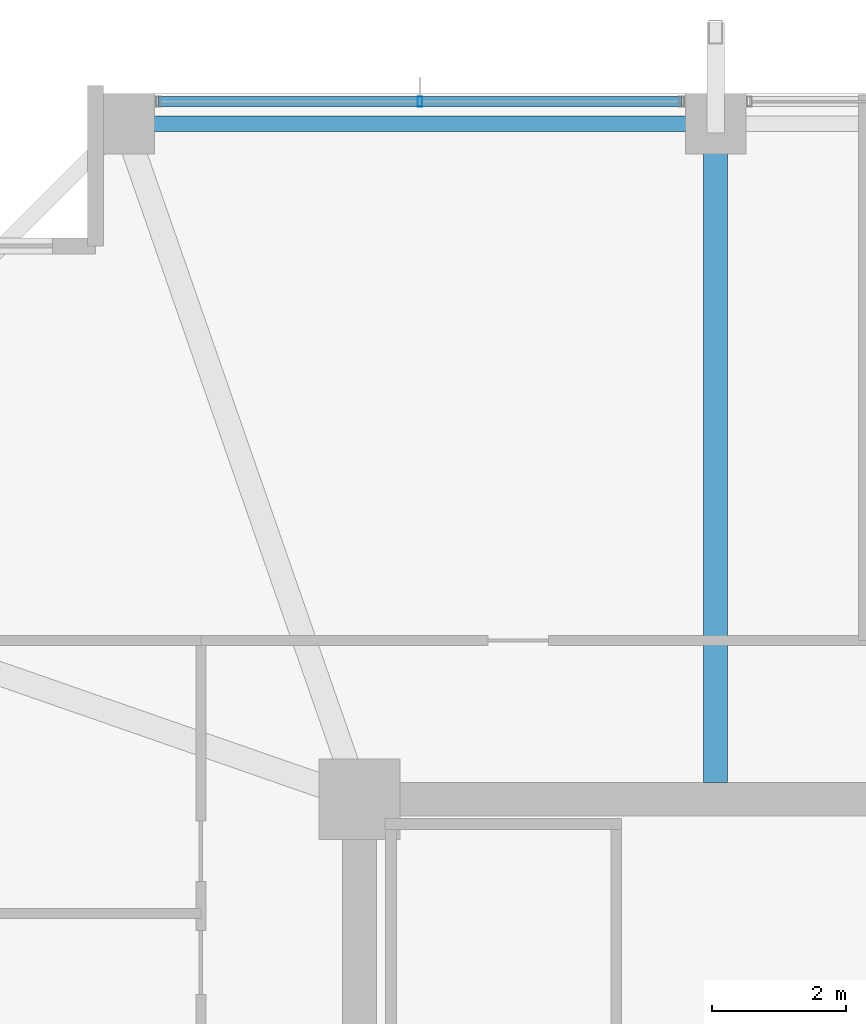
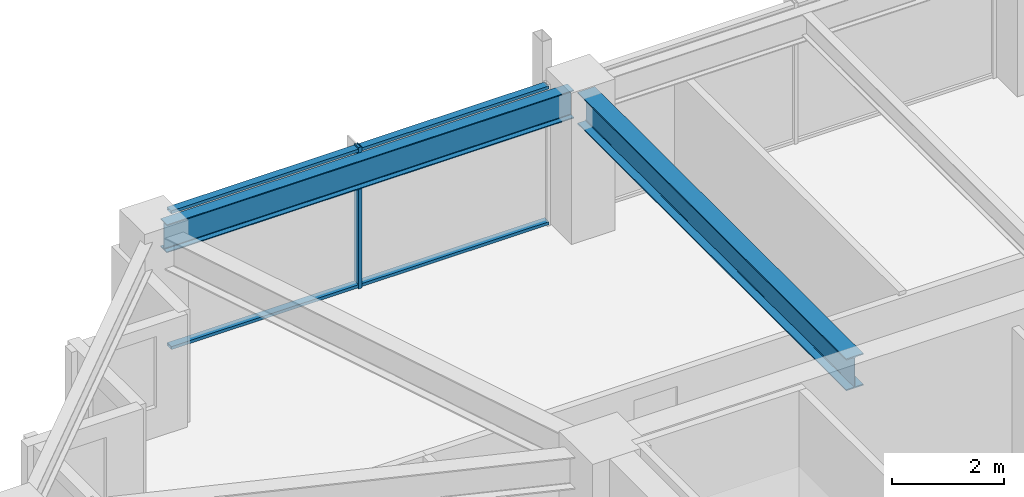
# One storey, part 18 of 35: 3 members, 2 beams, 1 element without a shape of its own.
"""IFC4 building model written with IfcOpenShell, lengths in metres."""

import ifcopenshell
import ifcopenshell.guid

model = None  # the IFC model being written
_history = None  # IfcOwnerHistory: only IFC2X3 demands one
_inside = {}  # id of a spatial element -> (the spatial element, [elements in it])
_under = {}  # id of a project, library or spatial element -> (it, [spatial elements below it])
_declared = {}  # id of a project -> (the project, [libraries it declares])
_typed = {}  # id of a type object -> (the type object, [elements of that type])
_made_of = {}  # id of a material, layer set ... -> (it, [elements and type objects made of it])


def new_model(schema):
    """Start an empty IFC model of exactly this schema.

    Asked for "IFC4X3", IfcOpenShell would pick the latest addendum, in which some entities
    have other attributes; the version numbers below select the first issue.
    IFC2X3 requires an IfcOwnerHistory on every rooted entity: one is made here for all.
    """
    global model, _history
    if schema == "IFC4X3":
        model = ifcopenshell.file(schema_version=(4, 3, 0, 0))
    else:
        model = ifcopenshell.file(schema=schema)
    _inside.clear()
    _under.clear()
    _declared.clear()
    _typed.clear()
    _made_of.clear()
    _history = None
    if model.schema == "IFC2X3":
        org = make("IfcOrganization", Name="unknown")
        user = make(
            "IfcPersonAndOrganization",
            ThePerson=make("IfcPerson", FamilyName="unknown"),
            TheOrganization=org,
        )
        app = make(
            "IfcApplication",
            ApplicationDeveloper=org,
            Version="unknown",
            ApplicationFullName="unknown",
            ApplicationIdentifier="unknown",
        )
        _history = make(
            "IfcOwnerHistory",
            OwningUser=user,
            OwningApplication=app,
            ChangeAction="ADDED",
            CreationDate=0,
        )
    return model


def make(cls, **values):
    """One entity of the class cls with the attributes given. An attribute that is None is left unset."""
    return model.create_entity(
        cls, **{name: value for name, value in values.items() if value is not None}
    )


def rooted(cls, **values):
    """An entity with a GlobalId (a new one), such as an element, a storey or a relation."""
    return make(cls, GlobalId=ifcopenshell.guid.new(), OwnerHistory=_history, **values)


def si_unit(unit_type, name, prefix=None):
    """IfcSIUnit, for example si_unit("LENGTHUNIT", "METRE", prefix="MILLI")."""
    return make("IfcSIUnit", UnitType=unit_type, Prefix=prefix, Name=name)


def assignment(units):
    """IfcUnitAssignment: the units of a project."""
    return None if units is None else make("IfcUnitAssignment", Units=units)


def point(xyz):
    """IfcCartesianPoint."""
    return None if xyz is None else make("IfcCartesianPoint", Coordinates=xyz)


def direction(xyz):
    """IfcDirection."""
    return None if xyz is None else make("IfcDirection", DirectionRatios=xyz)


def frame(location, z_axis=None, x_axis=None):
    """IfcAxis2Placement3D, a coordinate frame: its origin and axes. An axis left out is left unset."""
    return make(
        "IfcAxis2Placement3D",
        Location=point(location),
        Axis=direction(z_axis),
        RefDirection=direction(x_axis),
    )


def frame_2d(location, x_axis=None):
    """IfcAxis2Placement2D, a coordinate frame in the plane: its origin and x axis."""
    return make(
        "IfcAxis2Placement2D", Location=point(location), RefDirection=direction(x_axis)
    )


def origin():
    """The frame at (0, 0, 0) with its axes left unset."""
    return frame((0.0, 0.0, 0.0))


def origin_2d():
    """The frame at (0, 0) in the plane with its x axis left unset."""
    return frame_2d((0.0, 0.0))


def place(relative_to, where):
    """IfcLocalPlacement: puts the frame where relative to a parent placement (None: the world)."""
    return make(
        "IfcLocalPlacement", PlacementRelTo=relative_to, RelativePlacement=where
    )


def context(
    kind, dimensions, precision=None, world=None, true_north=None, identifier=None
):
    """IfcGeometricRepresentationContext, for example the 3D "Model" context."""
    return make(
        "IfcGeometricRepresentationContext",
        ContextIdentifier=identifier,
        ContextType=kind,
        CoordinateSpaceDimension=dimensions,
        Precision=precision,
        WorldCoordinateSystem=world,
        TrueNorth=true_north,
    )


def subcontext(parent, identifier, kind, view, scale=None):
    """IfcGeometricRepresentationSubContext, for example "Body" below "Model"."""
    return make(
        "IfcGeometricRepresentationSubContext",
        ContextIdentifier=identifier,
        ContextType=kind,
        ParentContext=parent,
        TargetScale=scale,
        TargetView=view,
    )


def project(units=None, contexts=None):
    """IfcProject with its units and contexts."""
    return rooted(
        "IfcProject",
        Name="project",
        RepresentationContexts=contexts,
        UnitsInContext=assignment(units),
    )


def spatial(cls, under=None, at=None, **own):
    """A site, building, storey or space (cls), placed at a placement, below another one or the project."""
    s = rooted(cls, ObjectPlacement=at, **own)
    if under is not None:
        _under.setdefault(under.id(), (under, []))[1].append(s)
    return s


def profile(cls, at=None, kind="AREA", **sizes):
    """A parametric profile (cls). Its sizes go by their IFC names, for example OverallWidth=200.0."""
    return make(cls, ProfileType=kind, Position=at, **sizes)


def hollow_rectangle(**sizes):
    """IfcRectangleHollowProfileDef."""
    return profile("IfcRectangleHollowProfileDef", **sizes)


def i_section(**sizes):
    """IfcIShapeProfileDef."""
    return profile("IfcIShapeProfileDef", **sizes)


def extrude(swept, where, along, depth):
    """IfcExtrudedAreaSolid: the profile swept, set in the frame where, extruded along a direction by depth."""
    return make(
        "IfcExtrudedAreaSolid",
        SweptArea=swept,
        Position=where,
        ExtrudedDirection=direction(along),
        Depth=depth,
    )


def shape(context_of_items, identifier, shape_type, items):
    """IfcShapeRepresentation: the items that make up one representation, for example the "Body"."""
    return make(
        "IfcShapeRepresentation",
        ContextOfItems=context_of_items,
        RepresentationIdentifier=identifier,
        RepresentationType=shape_type,
        Items=items,
    )


def material(Name=None, Category=None):
    """IfcMaterial."""
    return make("IfcMaterial", Name=Name, Category=Category)


def material_profile(
    of_material, cross_section, Name=None, Category=None, Priority=None
):
    """IfcMaterialProfile: a cross section and its material."""
    return make(
        "IfcMaterialProfile",
        Name=Name,
        Material=of_material,
        Profile=cross_section,
        Priority=Priority,
        Category=Category,
    )


def profile_set(profiles, Name=None, composite=None):
    """IfcMaterialProfileSet."""
    return make(
        "IfcMaterialProfileSet",
        Name=Name,
        MaterialProfiles=profiles,
        CompositeProfile=composite,
    )


def made_of(thing, what):
    """Note that an element or type object is made of a material, layer set ...; save() writes the relation."""
    if what is not None:
        _made_of.setdefault(what.id(), (what, []))[1].append(thing)
    return thing


def type_object(cls, material=None, **own):
    """A type object (cls), such as IfcWallType, which elements share."""
    return made_of(rooted(cls, **own), material)


def element(
    cls,
    number,
    at=None,
    inside=None,
    cuts=None,
    type_object=None,
    material=None,
    context=None,
    identifier="Body",
    shape_type=None,
    held_by="IfcProductDefinitionShape",
    body=None,
    shapes=None,
    **own,
):
    """One element of the class cls, such as IfcWall. Its Tag is "e" and its number.

    at: its placement. inside: the storey or other place that contains it. cuts: it is an
    opening in that element (IfcRelVoidsElement). A single representation is given by context,
    identifier, shape_type and body (its items); several are given by shapes. held_by: the class
    of the entity that holds the representations. save() writes the other relations.
    """
    e = rooted(cls, Tag="e%d" % number, ObjectPlacement=at, **own)
    if body is not None:
        shapes = [shape(context, identifier, shape_type, body)]
    if shapes is not None:
        e.Representation = make(held_by, Representations=shapes)
    if inside is not None:
        _inside.setdefault(inside.id(), (inside, []))[1].append(e)
    if cuts is not None:
        rooted(
            "IfcRelVoidsElement", RelatingBuildingElement=cuts, RelatedOpeningElement=e
        )
    if type_object is not None:
        _typed.setdefault(type_object.id(), (type_object, []))[1].append(e)
    return made_of(e, material)


def aggregate(whole, parts):
    """IfcRelAggregates: a whole, such as a stair, and the parts it consists of."""
    return rooted("IfcRelAggregates", RelatingObject=whole, RelatedObjects=parts)


def save(model, path):
    """Write the relations noted so far, then the file.

    IfcRelAggregates (storeys below a building ...), IfcRelContainedInSpatialStructure (elements
    in a storey), IfcRelDefinesByType, IfcRelAssociatesMaterial and IfcRelDeclares: one each for
    every whole, place, type object, material and project.
    """
    for whole, parts in _under.values():
        aggregate(whole, parts)
    for where, things in _inside.values():
        rooted(
            "IfcRelContainedInSpatialStructure",
            RelatedElements=things,
            RelatingStructure=where,
        )
    for kind, things in _typed.values():
        rooted("IfcRelDefinesByType", RelatedObjects=things, RelatingType=kind)
    for what, things in _made_of.values():
        rooted("IfcRelAssociatesMaterial", RelatedObjects=things, RelatingMaterial=what)
    for by, libraries in _declared.values():
        rooted("IfcRelDeclares", RelatingContext=by, RelatedDefinitions=libraries)
    model.write(path)


model = new_model("IFC4")

# Units and contexts
model_context = context("Model", 3, precision=1e-05, world=origin(), true_north=direction((0.0, 1.0)))
body_context = subcontext(model_context, "Body", "Model", "MODEL_VIEW")
ifc_project = project(units=[si_unit("LENGTHUNIT", "METRE"), si_unit("AREAUNIT", "SQUARE_METRE"), si_unit("VOLUMEUNIT", "CUBIC_METRE"), si_unit("PLANEANGLEUNIT", "RADIAN"), si_unit("MASSUNIT", "GRAM", prefix="KILO")], contexts=[model_context])

# Site, building, storey
site_placement = place(None, origin())
site = spatial("IfcSite", under=ifc_project, at=site_placement, CompositionType="ELEMENT")
building_placement = place(site_placement, origin())
building = spatial("IfcBuilding", under=site, at=building_placement, Name="Kolvaren Belvedere", CompositionType="ELEMENT")
storey_placement = place(building_placement, frame((0.0, 0.0, 183.300048828125)))
storey = spatial("IfcBuildingStorey", under=building, at=storey_placement, Name="L53", CompositionType="ELEMENT", Elevation=183.300048828125)

# Beams
ifc_material_1 = material(Name="Structural steel ASTM A992 Grade 50", Category="steel")
ifc_material_profile_1 = material_profile(ifc_material_1, i_section(OverallWidth=0.35498046875, OverallDepth=0.696044921875, WebThickness=0.015380859375, FlangeThickness=0.02490234375, FilletRadius=0.02197265625, at=origin_2d()), Name="W27X146")
ifc_profile_set_1 = profile_set([ifc_material_profile_1], Name="Structural steel ASTM A992 Grade 50")
beam_type_1 = type_object("IfcBeamType", Name="BM-GIRD-W27X146", PredefinedType="BEAM", material=ifc_profile_set_1)
beam_1_placement = place(storey_placement, frame((-4.60009765625, 10.14990234375, 2.73193359375), z_axis=(0.0, 1.0, 0.0), x_axis=(-1.0, 0.0, 0.0)))
element("IfcBeam", 1, at=beam_1_placement, inside=storey, type_object=beam_type_1, Name="L53 North Radial Girder M", PredefinedType="BEAM", context=body_context, shape_type="SweptSolid", body=[
    extrude(i_section(OverallWidth=0.35498046875, OverallDepth=0.696044921875, WebThickness=0.015380859375, FlangeThickness=0.02490234375, FilletRadius=0.02197265625, at=origin_2d()), origin(), (0.0, 0.0, 1.0), 9.59765625),
])
ifc_material_2 = material(Name="Structural steel ASTM A992 Grade 50", Category="steel")
ifc_material_profile_2 = material_profile(ifc_material_2, i_section(OverallWidth=0.22900390625, OverallDepth=0.612060546875, WebThickness=0.011962890625, FlangeThickness=0.01953125, FilletRadius=0.01806640625, at=origin_2d()), Name="W24X84")
ifc_profile_set_2 = profile_set([ifc_material_profile_2], Name="Structural steel ASTM A992 Grade 50")
beam_type_2 = type_object("IfcBeamType", Name="BM-SPAN-W24X84", PredefinedType="SPANDREL", material=ifc_profile_set_2)
beam_2_placement = place(storey_placement, frame((-4.802490234375, 19.949951171875, 2.77392578125), z_axis=(-1.0, 0.0, 0.0), x_axis=(0.0, -1.0, 0.0)))
element("IfcBeam", 2, at=beam_2_placement, inside=storey, type_object=beam_type_2, Name="L53 Perimeter Spandrel N2-N1", PredefinedType="SPANDREL", context=body_context, shape_type="SweptSolid", body=[
    extrude(i_section(OverallWidth=0.22900390625, OverallDepth=0.612060546875, WebThickness=0.011962890625, FlangeThickness=0.01953125, FilletRadius=0.01806640625, at=origin_2d()), origin(), (0.0, 0.0, 1.0), 8.39501953125),
])

# Curtain wall, members
ifc_material_3 = material(Name="Anodised pale-metal aluminium AA 6063-T6", Category="aluminium")
curtain_wall_type = type_object("IfcCurtainWallType", Name="CW-Z5-HIGH", PredefinedType="NOTDEFINED", material=ifc_material_3)
curtain_wall_placement = place(storey_placement, origin())
curtain_wall = element("IfcCurtainWall", 3, at=curtain_wall_placement, inside=storey, type_object=curtain_wall_type, Name="L53 Unitised Curtain Wall FCW-L53-N-B1", PredefinedType="NOTDEFINED")
ifc_material_4 = material(Name="Anodised pale-metal aluminium AA 6063-T6", Category="aluminium")
ifc_material_profile_3 = material_profile(ifc_material_4, hollow_rectangle(XDim=0.070068359375, YDim=0.14990234375, WallThickness=0.004150390625, at=origin_2d()), Name="ALU-MUL-150X70")
ifc_profile_set_3 = profile_set([ifc_material_profile_3], Name="Anodised pale-metal aluminium AA 6063-T6")
member_type_1 = type_object("IfcMemberType", Name="CW-MUL-150", PredefinedType="MULLION", material=ifc_profile_set_3)
member_1_placement = place(storey_placement, frame((-9.0, 20.280029296875, 0.0), z_axis=(0.0, 0.0, 1.0), x_axis=(1.0, 0.0, 0.0)))
member_1 = element("IfcMember", 4, at=member_1_placement, type_object=member_type_1, Name="FCW-L53-N-B1 Unitised Mullion 2", PredefinedType="MULLION", context=body_context, shape_type="SweptSolid", body=[
    extrude(hollow_rectangle(XDim=0.070068359375, YDim=0.14990234375, WallThickness=0.004150390625, at=origin_2d()), origin(), (0.0, 0.0, 1.0), 3.079833984375),
])
ifc_material_5 = material(Name="Anodised pale-metal aluminium AA 6063-T6", Category="aluminium")
ifc_material_profile_4 = material_profile(ifc_material_5, hollow_rectangle(XDim=0.06494140625, YDim=0.14990234375, WallThickness=0.00390625, at=origin_2d()), Name="ALU-TRN-150X65")
ifc_profile_set_4 = profile_set([ifc_material_profile_4], Name="Anodised pale-metal aluminium AA 6063-T6")
member_type_2 = type_object("IfcMemberType", Name="CW-TRN-150", PredefinedType="USERDEFINED", material=ifc_profile_set_4)
member_2_placement = place(storey_placement, frame((-12.89501953125, 20.280029296875, 0.06005859375), z_axis=(1.0, 0.0, 0.0), x_axis=(0.0, 0.0, 1.0)))
member_2 = element("IfcMember", 5, at=member_2_placement, type_object=member_type_2, Name="FCW-L53-N-B1 Sill Transom", ObjectType="TRANSOM", PredefinedType="USERDEFINED", context=body_context, shape_type="SweptSolid", body=[
    extrude(hollow_rectangle(XDim=0.06494140625, YDim=0.14990234375, WallThickness=0.00390625, at=origin_2d()), origin(), (0.0, 0.0, 1.0), 7.7900390625),
])
member_3_placement = place(storey_placement, frame((-12.89501953125, 20.280029296875, 3.02001953125), z_axis=(1.0, 0.0, 0.0), x_axis=(0.0, 0.0, 1.0)))
member_3 = element("IfcMember", 6, at=member_3_placement, type_object=member_type_2, Name="FCW-L53-N-B1 Head Transom", ObjectType="TRANSOM", PredefinedType="USERDEFINED", context=body_context, shape_type="SweptSolid", body=[
    extrude(hollow_rectangle(XDim=0.06494140625, YDim=0.14990234375, WallThickness=0.00390625, at=origin_2d()), origin(), (0.0, 0.0, 1.0), 7.7900390625),
])
aggregate(curtain_wall, [member_1, member_2, member_3])

save(model, "model.ifc")
